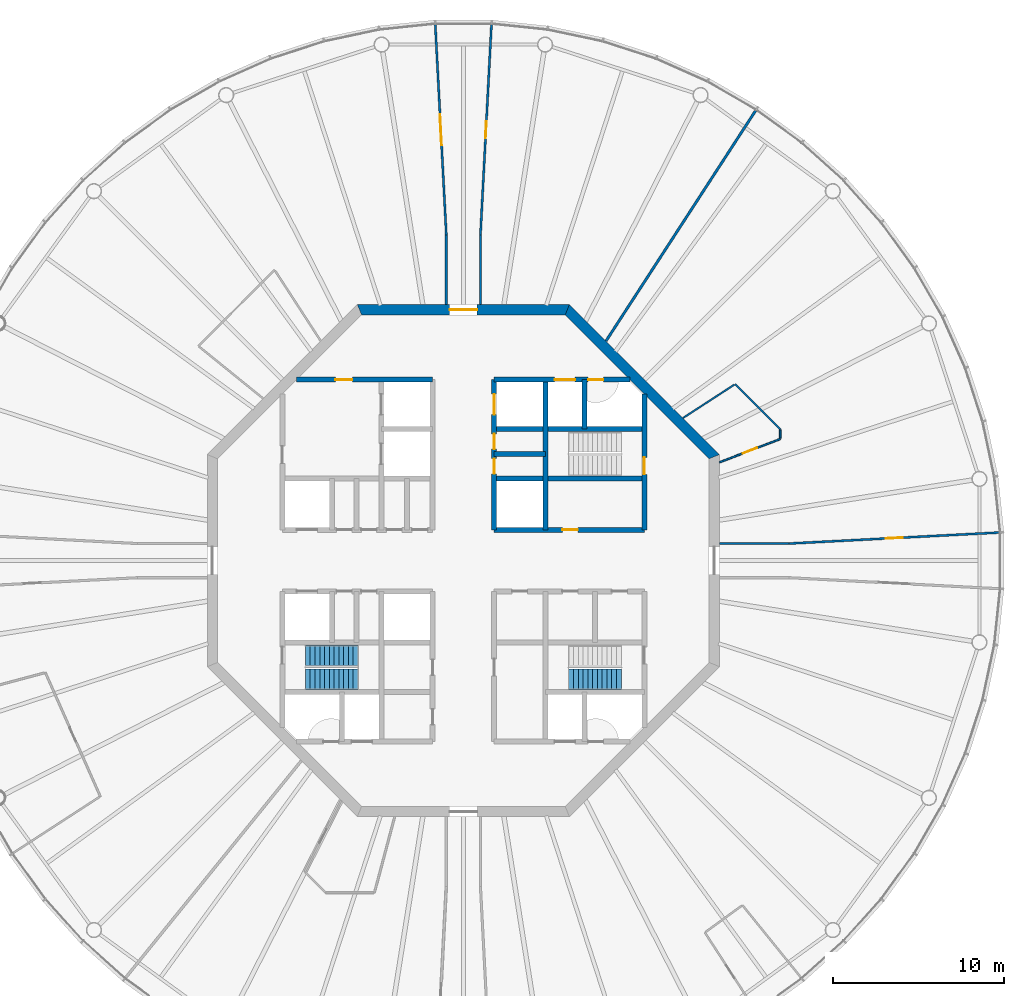
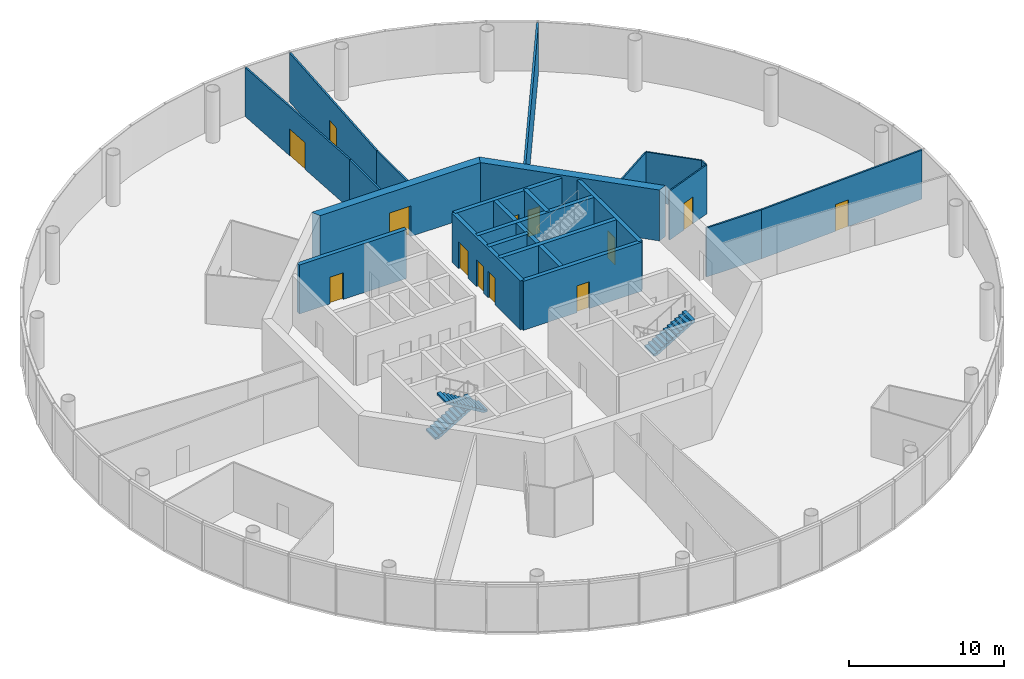
# One storey, part 5 of 13: 23 walls, 13 doors, 3 stair flights, 13 openings, 2 elements without a shape of their own.
"""IFC4 building model written with IfcOpenShell, lengths in metres."""

from ifc_helpers import new_model, si_unit, direction, frame, frame_2d, origin, place, context, subcontext, project, spatial, polyline, rectangle, outline, extrude, material, layer, layer_set, type_object, element, fill, aggregate, save


model = new_model("IFC4")

# Units and contexts
model_context = context("Model", 3, precision=1e-05, world=origin(), true_north=direction((0.0, 1.0)))
body_context = subcontext(model_context, "Body", "Model", "MODEL_VIEW")
ifc_project = project(units=[si_unit("LENGTHUNIT", "METRE"), si_unit("AREAUNIT", "SQUARE_METRE"), si_unit("VOLUMEUNIT", "CUBIC_METRE"), si_unit("PLANEANGLEUNIT", "RADIAN"), si_unit("MASSUNIT", "GRAM", prefix="KILO")], contexts=[model_context])

# Site, building, storey
site_placement = place(None, origin())
site = spatial("IfcSite", under=ifc_project, at=site_placement, CompositionType="ELEMENT")
building_placement = place(site_placement, origin())
building = spatial("IfcBuilding", under=site, at=building_placement, Name="Entoto Ring Tower", CompositionType="ELEMENT")
storey_placement = place(building_placement, frame((0.0, 0.0, 376.0)))
storey = spatial("IfcBuildingStorey", under=building, at=storey_placement, Name="L87", CompositionType="ELEMENT", Elevation=376.0)

# Wall, opening, door
ifc_material_1 = material(Name="Concrete C40/50", Category="concrete")
ifc_layer_1 = layer(ifc_material_1, 0.300048828125)
ifc_layer_set_1 = layer_set([ifc_layer_1], Name="Concrete C40/50")
wall_type_1 = type_object("IfcWallType", Name="Core enclosure wall 300 mm reinforced concrete", PredefinedType="SOLIDWALL", material=ifc_layer_set_1)
wall_1_placement = place(storey_placement, frame((100.60009765625, 81.800048828125, 0.0), z_axis=(0.0, 0.0, 1.0), x_axis=(0.0, 1.0, 0.0)))
wall_1 = element("IfcWall", 1, at=wall_1_placement, inside=storey, type_object=wall_type_1, Name="wall-L87-002", PredefinedType="SOLIDWALL", context=body_context, shape_type="SweptSolid", body=[
    extrude(rectangle(XDim=7.964599609375, YDim=0.300048828125, at=frame_2d((3.982421875, 0.0))), origin(), (0.0, 0.0, 1.0), 3.85009765625),
])
opening_1_placement = place(wall_1_placement, frame((3.25, 0.0, 0.0)))
opening_1 = element("IfcOpeningElement", 2, at=opening_1_placement, cuts=wall_1, Name="Opening K-26", PredefinedType="OPENING", context=body_context, shape_type="SweptSolid", body=[
    extrude(rectangle(XDim=1.0, YDim=2.10009765625, at=frame_2d((0.5, 1.050048828125))), frame((0.0, 0.16015625, 0.0), z_axis=(0.0, -1.0, 0.0), x_axis=(1.0, 0.0, 0.0)), (0.0, 0.0, 1.0), 0.320068359375),
])
ifc_material_2 = material(Name="Steel door leaf, fire rated", Category="steel")
ifc_layer_2 = layer(ifc_material_2, 0.050048828125)
ifc_layer_set_2 = layer_set([ifc_layer_2], Name="Steel door leaf, fire rated")
door_type_1 = type_object("IfcDoorType", Name="Fire door FD60 1000 x 2100 single leaf", OperationType="NOTDEFINED", PredefinedType="DOOR", material=ifc_layer_set_2)
door_1_placement = place(opening_1_placement, origin())
door_1 = element("IfcDoor", 3, at=door_1_placement, inside=storey, type_object=door_type_1, Name="Door K-26", OperationType="SINGLE_SWING_LEFT", OverallHeight=2.10009765625, OverallWidth=1.0, PredefinedType="DOOR", context=body_context, shape_type="SweptSolid", body=[
    extrude(rectangle(XDim=1.0, YDim=2.10009765625, at=frame_2d((0.5, 1.050048828125))), frame((0.0, 0.02490234375, 0.0), z_axis=(0.0, -1.0, 0.0), x_axis=(1.0, 0.0, 0.0)), (0.0, 0.0, 1.0), 0.050048828125),
])
fill(opening_1, door_1)

# Walls
wall_2_placement = place(storey_placement, frame((97.10009765625, 87.699951171875, 0.0), z_axis=(0.0, 0.0, 1.0), x_axis=(0.0, 1.0, 0.0)))
element("IfcWall", 4, at=wall_2_placement, inside=storey, type_object=wall_type_1, Name="wall-L87-005", PredefinedType="SOLIDWALL", context=body_context, shape_type="SweptSolid", body=[
    extrude(rectangle(XDim=2.900146484375, YDim=0.300048828125, at=frame_2d((1.4501953125, 0.0))), origin(), (0.0, 0.0, 1.0), 3.85009765625),
])
wall_3_placement = place(storey_placement, frame((94.800048828125, 81.800048828125, 0.0), z_axis=(0.0, 0.0, 1.0), x_axis=(0.0, 1.0, 0.0)))
element("IfcWall", 5, at=wall_3_placement, inside=storey, type_object=wall_type_1, Name="wall-L87-007", PredefinedType="SOLIDWALL", context=body_context, shape_type="SweptSolid", body=[
    extrude(rectangle(XDim=8.800048828125, YDim=0.300048828125, at=frame_2d((4.39990234375, 0.0))), origin(), (0.0, 0.0, 1.0), 3.85009765625),
])

# Wall, openings, doors
wall_4_placement = place(storey_placement, frame((91.800048828125, 81.800048828125, 0.0), z_axis=(0.0, 0.0, 1.0), x_axis=(0.0, 1.0, 0.0)))
wall_4 = element("IfcWall", 6, at=wall_4_placement, inside=storey, type_object=wall_type_1, Name="wall-L87-009", PredefinedType="SOLIDWALL", context=body_context, shape_type="SweptSolid", body=[
    extrude(rectangle(XDim=8.800048828125, YDim=0.300048828125, at=frame_2d((4.39990234375, 0.0))), origin(), (0.0, 0.0, 1.0), 3.85009765625),
])
opening_2_placement = place(wall_4_placement, frame((6.75, 0.0, 0.0)))
opening_2 = element("IfcOpeningElement", 7, at=opening_2_placement, cuts=wall_4, Name="Opening LD", PredefinedType="OPENING", context=body_context, shape_type="SweptSolid", body=[
    extrude(rectangle(XDim=1.199951171875, YDim=2.10009765625, at=frame_2d((0.60009765625, 1.050048828125))), frame((0.0, 0.16015625, 0.0), z_axis=(0.0, -1.0, 0.0), x_axis=(1.0, 0.0, 0.0)), (0.0, 0.0, 1.0), 0.320068359375),
])
opening_3_placement = place(wall_4_placement, frame((3.27490234375, 0.0, 0.0)))
opening_3 = element("IfcOpeningElement", 8, at=opening_3_placement, cuts=wall_4, Name="Opening K-18", PredefinedType="OPENING", context=body_context, shape_type="SweptSolid", body=[
    extrude(rectangle(XDim=0.89990234375, YDim=2.10009765625, at=frame_2d((0.449951171875, 1.050048828125))), frame((0.0, 0.16015625, 0.0), z_axis=(0.0, -1.0, 0.0), x_axis=(1.0, 0.0, 0.0)), (0.0, 0.0, 1.0), 0.320068359375),
])
opening_4_placement = place(wall_4_placement, frame((4.72509765625, 0.0, 0.0)))
opening_4 = element("IfcOpeningElement", 9, at=opening_4_placement, cuts=wall_4, Name="Opening K-19", PredefinedType="OPENING", context=body_context, shape_type="SweptSolid", body=[
    extrude(rectangle(XDim=0.89990234375, YDim=2.10009765625, at=frame_2d((0.449951171875, 1.050048828125))), frame((0.0, 0.16015625, 0.0), z_axis=(0.0, -1.0, 0.0), x_axis=(1.0, 0.0, 0.0)), (0.0, 0.0, 1.0), 0.320068359375),
])
ifc_material_3 = material(Name="Steel door leaf, fire rated", Category="steel")
ifc_layer_3 = layer(ifc_material_3, 0.050048828125)
ifc_layer_set_3 = layer_set([ifc_layer_3], Name="Steel door leaf, fire rated")
door_type_2 = type_object("IfcDoorType", Name="Core door 900 x 2100 single leaf", OperationType="NOTDEFINED", PredefinedType="DOOR", material=ifc_layer_set_3)
door_2_placement = place(opening_3_placement, frame((0.89990234375, 0.0, 0.0), z_axis=(0.0, 0.0, 1.0), x_axis=(-1.0, 0.0, 0.0)))
door_2 = element("IfcDoor", 10, at=door_2_placement, inside=storey, type_object=door_type_2, Name="Door K-18", OperationType="SINGLE_SWING_LEFT", OverallHeight=2.10009765625, OverallWidth=0.89990234375, PredefinedType="DOOR", context=body_context, shape_type="SweptSolid", body=[
    extrude(rectangle(XDim=0.89990234375, YDim=2.10009765625, at=frame_2d((0.449951171875, 1.050048828125))), frame((0.0, 0.02490234375, 0.0), z_axis=(0.0, -1.0, 0.0), x_axis=(1.0, 0.0, 0.0)), (0.0, 0.0, 1.0), 0.050048828125),
])
fill(opening_3, door_2)
door_3_placement = place(opening_4_placement, frame((0.89990234375, 0.0, 0.0), z_axis=(0.0, 0.0, 1.0), x_axis=(-1.0, 0.0, 0.0)))
door_3 = element("IfcDoor", 11, at=door_3_placement, inside=storey, type_object=door_type_2, Name="Door K-19", OperationType="SINGLE_SWING_RIGHT", OverallHeight=2.10009765625, OverallWidth=0.89990234375, PredefinedType="DOOR", context=body_context, shape_type="SweptSolid", body=[
    extrude(rectangle(XDim=0.89990234375, YDim=2.10009765625, at=frame_2d((0.449951171875, 1.050048828125))), frame((0.0, 0.02490234375, 0.0), z_axis=(0.0, -1.0, 0.0), x_axis=(1.0, 0.0, 0.0)), (0.0, 0.0, 1.0), 0.050048828125),
])
fill(opening_4, door_3)
ifc_material_4 = material(Name="Steel and glass door leaf", Category="steel")
ifc_layer_4 = layer(ifc_material_4, 0.050048828125)
ifc_layer_set_4 = layer_set([ifc_layer_4], Name="Steel and glass door leaf")
door_type_3 = type_object("IfcDoorType", Name="Landing door 1200 x 2100 sliding", OperationType="DOUBLE_DOOR_SLIDING", PredefinedType="DOOR", material=ifc_layer_set_4)
door_4_placement = place(opening_2_placement, origin())
door_4 = element("IfcDoor", 12, at=door_4_placement, inside=storey, type_object=door_type_3, Name="Landing door SH3", OperationType="SLIDING_TO_RIGHT", OverallHeight=2.10009765625, OverallWidth=1.199951171875, PredefinedType="DOOR", context=body_context, shape_type="SweptSolid", body=[
    extrude(rectangle(XDim=1.199951171875, YDim=2.10009765625, at=frame_2d((0.60009765625, 1.050048828125))), frame((0.0, 0.02490234375, 0.0), z_axis=(0.0, -1.0, 0.0), x_axis=(1.0, 0.0, 0.0)), (0.0, 0.0, 1.0), 0.050048828125),
])
fill(opening_2, door_4)

# Wall, opening, door
wall_5_placement = place(storey_placement, frame((91.800048828125, 81.800048828125, 0.0), z_axis=(0.0, 0.0, 1.0), x_axis=(1.0, 0.0, 0.0)))
wall_5 = element("IfcWall", 13, at=wall_5_placement, inside=storey, type_object=wall_type_1, Name="wall-L87-031", PredefinedType="SOLIDWALL", context=body_context, shape_type="SweptSolid", body=[
    extrude(rectangle(XDim=8.800048828125, YDim=0.300048828125, at=frame_2d((4.39990234375, 0.0))), origin(), (0.0, 0.0, 1.0), 3.85009765625),
])
opening_5_placement = place(wall_5_placement, frame((4.0, 0.0, 0.0)))
opening_5 = element("IfcOpeningElement", 14, at=opening_5_placement, cuts=wall_5, Name="Opening K-11", PredefinedType="OPENING", context=body_context, shape_type="SweptSolid", body=[
    extrude(rectangle(XDim=0.89990234375, YDim=2.10009765625, at=frame_2d((0.449951171875, 1.050048828125))), frame((0.0, 0.16015625, 0.0), z_axis=(0.0, -1.0, 0.0), x_axis=(1.0, 0.0, 0.0)), (0.0, 0.0, 1.0), 0.320068359375),
])
door_5_placement = place(opening_5_placement, origin())
door_5 = element("IfcDoor", 15, at=door_5_placement, inside=storey, type_object=door_type_2, Name="Door K-11", OperationType="SINGLE_SWING_LEFT", OverallHeight=2.10009765625, OverallWidth=0.89990234375, PredefinedType="DOOR", context=body_context, shape_type="SweptSolid", body=[
    extrude(rectangle(XDim=0.89990234375, YDim=2.10009765625, at=frame_2d((0.449951171875, 1.050048828125))), frame((0.0, 0.02490234375, 0.0), z_axis=(0.0, -1.0, 0.0), x_axis=(1.0, 0.0, 0.0)), (0.0, 0.0, 1.0), 0.050048828125),
])
fill(opening_5, door_5)

# Walls
wall_6_placement = place(storey_placement, frame((91.800048828125, 84.800048828125, 0.0), z_axis=(0.0, 0.0, 1.0), x_axis=(1.0, 0.0, 0.0)))
element("IfcWall", 16, at=wall_6_placement, inside=storey, type_object=wall_type_1, Name="wall-L87-033", PredefinedType="SOLIDWALL", context=body_context, shape_type="SweptSolid", body=[
    extrude(rectangle(XDim=8.800048828125, YDim=0.300048828125, at=frame_2d((4.39990234375, 0.0))), origin(), (0.0, 0.0, 1.0), 3.85009765625),
])
wall_7_placement = place(storey_placement, frame((91.800048828125, 86.25, 0.0), z_axis=(0.0, 0.0, 1.0), x_axis=(1.0, 0.0, 0.0)))
element("IfcWall", 17, at=wall_7_placement, inside=storey, type_object=wall_type_1, Name="wall-L87-034", PredefinedType="SOLIDWALL", context=body_context, shape_type="SweptSolid", body=[
    extrude(rectangle(XDim=3.0, YDim=0.300048828125, at=frame_2d((1.5, 0.0))), origin(), (0.0, 0.0, 1.0), 3.85009765625),
])
wall_8_placement = place(storey_placement, frame((91.800048828125, 87.699951171875, 0.0), z_axis=(0.0, 0.0, 1.0), x_axis=(1.0, 0.0, 0.0)))
element("IfcWall", 18, at=wall_8_placement, inside=storey, type_object=wall_type_1, Name="wall-L87-036", PredefinedType="SOLIDWALL", context=body_context, shape_type="SweptSolid", body=[
    extrude(rectangle(XDim=8.800048828125, YDim=0.300048828125, at=frame_2d((4.39990234375, 0.0))), origin(), (0.0, 0.0, 1.0), 3.85009765625),
])

# Wall, opening, door
wall_9_placement = place(storey_placement, frame((80.2353515625, 90.60009765625, 0.0), z_axis=(0.0, 0.0, 1.0), x_axis=(1.0, 0.0, 0.0)))
wall_9 = element("IfcWall", 19, at=wall_9_placement, inside=storey, type_object=wall_type_1, Name="wall-L87-037", PredefinedType="SOLIDWALL", context=body_context, shape_type="SweptSolid", body=[
    extrude(rectangle(XDim=7.964599609375, YDim=0.300048828125, at=frame_2d((3.982421875, 0.0))), origin(), (0.0, 0.0, 1.0), 3.85009765625),
])
opening_6_placement = place(wall_9_placement, frame((2.2646484375, 0.0, 0.0)))
opening_6 = element("IfcOpeningElement", 20, at=opening_6_placement, cuts=wall_9, Name="Opening K-87", PredefinedType="OPENING", context=body_context, shape_type="SweptSolid", body=[
    extrude(rectangle(XDim=1.0, YDim=2.10009765625, at=frame_2d((0.5, 1.050048828125))), frame((0.0, 0.16015625, 0.0), z_axis=(0.0, -1.0, 0.0), x_axis=(1.0, 0.0, 0.0)), (0.0, 0.0, 1.0), 0.320068359375),
])
door_6_placement = place(opening_6_placement, frame((1.0, 0.0, 0.0), z_axis=(0.0, 0.0, 1.0), x_axis=(-1.0, 0.0, 0.0)))
door_6 = element("IfcDoor", 21, at=door_6_placement, inside=storey, type_object=door_type_1, Name="Door K-87", OperationType="SINGLE_SWING_LEFT", OverallHeight=2.10009765625, OverallWidth=1.0, PredefinedType="DOOR", context=body_context, shape_type="SweptSolid", body=[
    extrude(rectangle(XDim=1.0, YDim=2.10009765625, at=frame_2d((0.5, 1.050048828125))), frame((0.0, 0.02490234375, 0.0), z_axis=(0.0, -1.0, 0.0), x_axis=(1.0, 0.0, 0.0)), (0.0, 0.0, 1.0), 0.050048828125),
])
fill(opening_6, door_6)

# Wall, openings, doors
wall_10_placement = place(storey_placement, frame((91.800048828125, 90.60009765625, 0.0), z_axis=(0.0, 0.0, 1.0), x_axis=(1.0, 0.0, 0.0)))
wall_10 = element("IfcWall", 22, at=wall_10_placement, inside=storey, type_object=wall_type_1, Name="wall-L87-038", PredefinedType="SOLIDWALL", context=body_context, shape_type="SweptSolid", body=[
    extrude(rectangle(XDim=7.964599609375, YDim=0.300048828125, at=frame_2d((3.982421875, 0.0))), origin(), (0.0, 0.0, 1.0), 3.85009765625),
])
opening_7_placement = place(wall_10_placement, frame((3.550048828125, 0.0, 0.0)))
opening_7 = element("IfcOpeningElement", 23, at=opening_7_placement, cuts=wall_10, Name="Opening LD", PredefinedType="OPENING", context=body_context, shape_type="SweptSolid", body=[
    extrude(rectangle(XDim=1.199951171875, YDim=2.10009765625, at=frame_2d((0.60009765625, 1.050048828125))), frame((0.0, 0.16015625, 0.0), z_axis=(0.0, -1.0, 0.0), x_axis=(1.0, 0.0, 0.0)), (0.0, 0.0, 1.0), 0.320068359375),
])
opening_8_placement = place(wall_10_placement, frame((5.5, 0.0, 0.0)))
opening_8 = element("IfcOpeningElement", 24, at=opening_8_placement, cuts=wall_10, Name="Opening K-83", PredefinedType="OPENING", context=body_context, shape_type="SweptSolid", body=[
    extrude(rectangle(XDim=0.89990234375, YDim=2.10009765625, at=frame_2d((0.449951171875, 1.050048828125))), frame((0.0, 0.16015625, 0.0), z_axis=(0.0, -1.0, 0.0), x_axis=(1.0, 0.0, 0.0)), (0.0, 0.0, 1.0), 0.320068359375),
])
door_7_placement = place(opening_7_placement, origin())
door_7 = element("IfcDoor", 25, at=door_7_placement, inside=storey, type_object=door_type_3, Name="Landing door LB1-HR", OperationType="SLIDING_TO_RIGHT", OverallHeight=2.10009765625, OverallWidth=1.199951171875, PredefinedType="DOOR", context=body_context, shape_type="SweptSolid", body=[
    extrude(rectangle(XDim=1.199951171875, YDim=2.10009765625, at=frame_2d((0.60009765625, 1.050048828125))), frame((0.0, 0.02490234375, 0.0), z_axis=(0.0, -1.0, 0.0), x_axis=(1.0, 0.0, 0.0)), (0.0, 0.0, 1.0), 0.050048828125),
])
fill(opening_7, door_7)
ifc_material_5 = material(Name="Steel door leaf, fire rated", Category="steel")
ifc_layer_5 = layer(ifc_material_5, 0.050048828125)
ifc_layer_set_5 = layer_set([ifc_layer_5], Name="Steel door leaf, fire rated")
door_type_4 = type_object("IfcDoorType", Name="Riser door FD60 900 x 2100 single leaf", OperationType="NOTDEFINED", PredefinedType="DOOR", material=ifc_layer_set_5)
door_8_placement = place(opening_8_placement, frame((0.89990234375, 0.0, 0.0), z_axis=(0.0, 0.0, 1.0), x_axis=(-1.0, 0.0, 0.0)))
door_8 = element("IfcDoor", 26, at=door_8_placement, inside=storey, type_object=door_type_4, Name="Door K-83", OperationType="SINGLE_SWING_RIGHT", OverallHeight=2.10009765625, OverallWidth=0.89990234375, PredefinedType="DOOR", context=body_context, shape_type="SweptSolid", body=[
    extrude(rectangle(XDim=0.89990234375, YDim=2.10009765625, at=frame_2d((0.449951171875, 1.050048828125))), frame((0.0, 0.02490234375, 0.0), z_axis=(0.0, -1.0, 0.0), x_axis=(1.0, 0.0, 0.0)), (0.0, 0.0, 1.0), 0.050048828125),
])
fill(opening_8, door_8)

# Wall
ifc_material_6 = material(Name="Concrete C40/50", Category="concrete")
ifc_layer_6 = layer(ifc_material_6, 0.60009765625)
ifc_layer_set_6 = layer_set([ifc_layer_6], Name="Concrete C40/50")
wall_type_2 = type_object("IfcWallType", Name="Core shear wall 600 mm reinforced concrete C40/50", PredefinedType="SHEAR", material=ifc_layer_set_6)
wall_11_placement = place(storey_placement, frame((104.699951171875, 86.0888671875, 0.0), z_axis=(0.0, 0.0, 1.0), x_axis=(-0.707106781187, 0.707106781187, 0.0)))
element("IfcWall", 27, at=wall_11_placement, inside=storey, type_object=wall_type_2, Name="wall-L87-core-1", PredefinedType="SHEAR", context=body_context, shape_type="SweptSolid", body=[
    extrude(outline(polyline([(-0.124267578125, -0.300048828125), (12.30224609375, -0.300048828125), (12.0537109375, 0.300048828125), (0.124267578125, 0.300048828125), (-0.124267578125, -0.300048828125)])), origin(), (0.0, 0.0, 1.0), 4.0),
])

# Wall, opening, door
wall_12_placement = place(storey_placement, frame((96.0888671875, 94.699951171875, 0.0), z_axis=(0.0, 0.0, 1.0), x_axis=(-1.0, 0.0, 0.0)))
wall_12 = element("IfcWall", 28, at=wall_12_placement, inside=storey, type_object=wall_type_2, Name="wall-L87-core-2", PredefinedType="SHEAR", context=body_context, shape_type="SweptSolid", body=[
    extrude(outline(polyline([(-0.124267578125, -0.300048828125), (12.302001953125, -0.300048828125), (12.053466796875, 0.300048828125), (0.124267578125, 0.300048828125), (-0.124267578125, -0.300048828125)])), origin(), (0.0, 0.0, 1.0), 4.0),
])
opening_9_placement = place(wall_12_placement, frame((5.288818359375, 0.0, 0.0)))
opening_9 = element("IfcOpeningElement", 29, at=opening_9_placement, cuts=wall_12, Name="Opening K-02", PredefinedType="OPENING", context=body_context, shape_type="SweptSolid", body=[
    extrude(rectangle(XDim=1.60009765625, YDim=2.39990234375, at=frame_2d((0.800048828125, 1.199951171875))), frame((0.0, 0.31005859375, 0.0), z_axis=(0.0, -1.0, 0.0), x_axis=(1.0, 0.0, 0.0)), (0.0, 0.0, 1.0), 0.6201171875),
])
ifc_material_7 = material(Name="Steel door leaf, fire rated", Category="steel")
ifc_layer_7 = layer(ifc_material_7, 0.050048828125)
ifc_layer_set_7 = layer_set([ifc_layer_7], Name="Steel door leaf, fire rated")
door_type_5 = type_object("IfcDoorType", Name="Entrance door FD60 1600 x 2400 double leaf", OperationType="DOUBLE_DOOR_SINGLE_SWING", PredefinedType="DOOR", material=ifc_layer_set_7)
door_9_placement = place(opening_9_placement, origin())
door_9 = element("IfcDoor", 30, at=door_9_placement, inside=storey, type_object=door_type_5, Name="Entrance door K-02", OperationType="DOUBLE_DOOR_SINGLE_SWING", OverallHeight=2.39990234375, OverallWidth=1.60009765625, PredefinedType="DOOR", context=body_context, shape_type="SweptSolid", body=[
    extrude(rectangle(XDim=1.60009765625, YDim=2.39990234375, at=frame_2d((0.800048828125, 1.199951171875))), frame((0.0, 0.02490234375, 0.0), z_axis=(0.0, -1.0, 0.0), x_axis=(1.0, 0.0, 0.0)), (0.0, 0.0, 1.0), 0.050048828125),
])
fill(opening_9, door_9)

ifc_material_8 = material(Name="Fire-resisting plasterboard on steel studs", Category="steel")
ifc_layer_8 = layer(ifc_material_8, 0.125)
ifc_layer_set_8 = layer_set([ifc_layer_8], Name="Fire-resisting plasterboard on steel studs")
wall_type_3 = type_object("IfcWallType", Name="Corridor wall 125 mm one-hour plasterboard on steel studs", PredefinedType="PARTITIONING", material=ifc_layer_set_8)
wall_13_placement = place(storey_placement, frame((89.0, 99.0810546875, 0.0), z_axis=(0.0, 0.0, 1.0), x_axis=(-0.052340638328, 0.998629289366, 0.0)))
wall_13 = element("IfcWall", 31, at=wall_13_placement, inside=storey, type_object=wall_type_3, Name="partition-L87-004", PredefinedType="PARTITIONING", context=body_context, shape_type="SweptSolid", body=[
    extrude(rectangle(XDim=12.332763671875, YDim=0.125, at=frame_2d((6.16650390625, 0.0))), origin(), (0.0, 0.0, 1.0), 3.85009765625),
])
opening_10_placement = place(wall_13_placement, frame((5.266357421875, 0.0, 0.0)))
opening_10 = element("IfcOpeningElement", 32, at=opening_10_placement, cuts=wall_13, Name="Opening A37-D04", PredefinedType="OPENING", context=body_context, shape_type="SweptSolid", body=[
    extrude(rectangle(XDim=1.800048828125, YDim=2.10009765625, at=frame_2d((0.89990234375, 1.050048828125))), frame((0.0, 0.072509765625, 0.0), z_axis=(0.0, -1.0, 0.0), x_axis=(1.0, 0.0, 0.0)), (0.0, 0.0, 1.0), 0.14501953125),
])
ifc_material_9 = material(Name="Fire-resisting timber door set", Category="wood")
door_type_6 = type_object("IfcDoorType", Name="Door 1800 x 2100 double leaf FD30S fire door", OperationType="DOUBLE_DOOR_SINGLE_SWING", PredefinedType="DOOR", material=ifc_material_9)
door_10_placement = place(opening_10_placement, frame((1.800048828125, 0.0, 0.0), z_axis=(0.0, 0.0, 1.0), x_axis=(-1.0, 0.0, 0.0)))
door_10 = element("IfcDoor", 33, at=door_10_placement, inside=storey, type_object=door_type_6, Name="Door A37-D04", OperationType="DOUBLE_DOOR_SINGLE_SWING", OverallHeight=2.10009765625, OverallWidth=1.800048828125, PredefinedType="DOOR", context=body_context, shape_type="SweptSolid", body=[
    extrude(rectangle(XDim=1.800048828125, YDim=2.10009765625, at=frame_2d((0.89990234375, 1.050048828125))), frame((0.0, 0.02490234375, 0.0), z_axis=(0.0, -1.0, 0.0), x_axis=(1.0, 0.0, 0.0)), (0.0, 0.0, 1.0), 0.050048828125),
])
fill(opening_10, door_10)

wall_14_placement = place(storey_placement, frame((91.0, 99.0810546875, 0.0), z_axis=(0.0, 0.0, 1.0), x_axis=(0.052340638328, 0.998629289366, 0.0)))
wall_14 = element("IfcWall", 34, at=wall_14_placement, inside=storey, type_object=wall_type_3, Name="partition-L87-005", PredefinedType="PARTITIONING", context=body_context, shape_type="SweptSolid", body=[
    extrude(rectangle(XDim=12.332763671875, YDim=0.125, at=frame_2d((6.16650390625, 0.0))), origin(), (0.0, 0.0, 1.0), 3.85009765625),
])
opening_11_placement = place(wall_14_placement, frame((5.666259765625, 0.0, 0.0)))
opening_11 = element("IfcOpeningElement", 35, at=opening_11_placement, cuts=wall_14, Name="Opening A37-D03", PredefinedType="OPENING", context=body_context, shape_type="SweptSolid", body=[
    extrude(rectangle(XDim=1.0, YDim=2.10009765625, at=frame_2d((0.5, 1.050048828125))), frame((0.0, 0.072509765625, 0.0), z_axis=(0.0, -1.0, 0.0), x_axis=(1.0, 0.0, 0.0)), (0.0, 0.0, 1.0), 0.14501953125),
])
ifc_material_10 = material(Name="Fire-resisting timber door set", Category="wood")
door_type_7 = type_object("IfcDoorType", Name="Door 1000 x 2100 single leaf FD30S fire door", OperationType="NOTDEFINED", PredefinedType="DOOR", material=ifc_material_10)
door_11_placement = place(opening_11_placement, frame((1.0, 0.0, 0.0), z_axis=(0.0, 0.0, 1.0), x_axis=(-1.0, 0.0, 0.0)))
door_11 = element("IfcDoor", 36, at=door_11_placement, inside=storey, type_object=door_type_7, Name="Door A37-D03", OperationType="SINGLE_SWING_LEFT", OverallHeight=2.10009765625, OverallWidth=1.0, PredefinedType="DOOR", context=body_context, shape_type="SweptSolid", body=[
    extrude(rectangle(XDim=1.0, YDim=2.10009765625, at=frame_2d((0.5, 1.050048828125))), frame((0.0, 0.02490234375, 0.0), z_axis=(0.0, -1.0, 0.0), x_axis=(1.0, 0.0, 0.0)), (0.0, 0.0, 1.0), 0.050048828125),
])
fill(opening_11, door_11)

wall_15_placement = place(storey_placement, frame((109.0810546875, 81.0, 0.0), z_axis=(0.0, 0.0, 1.0), x_axis=(0.998629289366, 0.052340638328, 0.0)))
wall_15 = element("IfcWall", 37, at=wall_15_placement, inside=storey, type_object=wall_type_3, Name="partition-L87-007", PredefinedType="PARTITIONING", context=body_context, shape_type="SweptSolid", body=[
    extrude(rectangle(XDim=12.332763671875, YDim=0.125, at=frame_2d((6.16650390625, 0.0))), origin(), (0.0, 0.0, 1.0), 3.85009765625),
])
opening_12_placement = place(wall_15_placement, frame((5.666259765625, 0.0, 0.0)))
opening_12 = element("IfcOpeningElement", 38, at=opening_12_placement, cuts=wall_15, Name="Opening A37-D01", PredefinedType="OPENING", context=body_context, shape_type="SweptSolid", body=[
    extrude(rectangle(XDim=1.0, YDim=2.10009765625, at=frame_2d((0.5, 1.050048828125))), frame((0.0, 0.072509765625, 0.0), z_axis=(0.0, -1.0, 0.0), x_axis=(1.0, 0.0, 0.0)), (0.0, 0.0, 1.0), 0.14501953125),
])
door_12_placement = place(opening_12_placement, origin())
door_12 = element("IfcDoor", 39, at=door_12_placement, inside=storey, type_object=door_type_7, Name="Door A37-D01", OperationType="SINGLE_SWING_RIGHT", OverallHeight=2.10009765625, OverallWidth=1.0, PredefinedType="DOOR", context=body_context, shape_type="SweptSolid", body=[
    extrude(rectangle(XDim=1.0, YDim=2.10009765625, at=frame_2d((0.5, 1.050048828125))), frame((0.0, 0.02490234375, 0.0), z_axis=(0.0, -1.0, 0.0), x_axis=(1.0, 0.0, 0.0)), (0.0, 0.0, 1.0), 0.050048828125),
])
fill(opening_12, door_12)

# Walls
for number, where, z_axis, x_axis, name in (
    (40, (89.0, 95.0, 0.0), (0.0, 0.0, 1.0), (0.0, 1.0, 0.0), "partition-L87-012"),
    (41, (91.0, 95.0, 0.0), (0.0, 0.0, 1.0), (0.0, 1.0, 0.0), "partition-L87-014"),
    (42, (105.0, 81.0, 0.0), (0.0, 0.0, 1.0), (1.0, 0.0, 0.0), "partition-L87-016"),
):
    element("IfcWall", number, at=place(storey_placement, frame(where, z_axis=z_axis, x_axis=x_axis)), inside=storey, type_object=wall_type_3, Name=name, PredefinedType="PARTITIONING", context=body_context, shape_type="SweptSolid", body=[
        extrude(rectangle(XDim=4.077880859375, YDim=0.125, at=frame_2d((2.0390625, 0.0))), origin(), (0.0, 0.0, 1.0), 3.85009765625),
    ])

# Wall, opening, door
ifc_material_11 = material(Name="Plasterboard on steel studs", Category="steel")
ifc_layer_9 = layer(ifc_material_11, 0.10009765625)
ifc_layer_set_9 = layer_set([ifc_layer_9], Name="Plasterboard on steel studs")
wall_type_4 = type_object("IfcWallType", Name="Partition 100 mm plasterboard on steel studs", PredefinedType="PARTITIONING", material=ifc_layer_set_9)
wall_16_placement = place(storey_placement, frame((105.0, 85.758056640625, 0.0), z_axis=(0.0, 0.0, 1.0), x_axis=(0.933591250886, 0.358339749774, 0.0)))
wall_16 = element("IfcWall", 43, at=wall_16_placement, inside=storey, type_object=wall_type_4, Name="partition-L87-029", PredefinedType="PARTITIONING", context=body_context, shape_type="SweptSolid", body=[
    extrude(rectangle(XDim=3.813232421875, YDim=0.10009765625, at=frame_2d((1.90673828125, 0.0))), origin(), (0.0, 0.0, 1.0), 3.85009765625),
])
opening_13_placement = place(wall_16_placement, frame((1.45654296875, 0.0, 0.0)))
opening_13 = element("IfcOpeningElement", 44, at=opening_13_placement, cuts=wall_16, Name="Opening A37-D02", PredefinedType="OPENING", context=body_context, shape_type="SweptSolid", body=[
    extrude(rectangle(XDim=0.89990234375, YDim=2.10009765625, at=frame_2d((0.449951171875, 1.050048828125))), frame((0.0, 0.06005859375, 0.0), z_axis=(0.0, -1.0, 0.0), x_axis=(1.0, 0.0, 0.0)), (0.0, 0.0, 1.0), 0.1201171875),
])
ifc_material_12 = material(Name="Veneered timber door leaf in timber frame", Category="wood")
door_type_8 = type_object("IfcDoorType", Name="Door 900 x 2100 single leaf timber veneer", OperationType="NOTDEFINED", PredefinedType="DOOR", material=ifc_material_12)
door_13_placement = place(opening_13_placement, origin())
door_13 = element("IfcDoor", 45, at=door_13_placement, inside=storey, type_object=door_type_8, Name="Door A37-D02", OperationType="SINGLE_SWING_LEFT", OverallHeight=2.10009765625, OverallWidth=0.89990234375, PredefinedType="DOOR", context=body_context, shape_type="SweptSolid", body=[
    extrude(rectangle(XDim=0.89990234375, YDim=2.10009765625, at=frame_2d((0.449951171875, 1.050048828125))), frame((0.0, 0.02490234375, 0.0), z_axis=(0.0, -1.0, 0.0), x_axis=(1.0, 0.0, 0.0)), (0.0, 0.0, 1.0), 0.050048828125),
])
fill(opening_13, door_13)

# Walls
wall_17_placement = place(storey_placement, frame((108.56005859375, 87.687744140625, 0.0), z_axis=(0.0, 0.0, 1.0), x_axis=(-0.707106781187, 0.707106781187, 0.0)))
element("IfcWall", 46, at=wall_17_placement, inside=storey, type_object=wall_type_4, Name="partition-L87-030", PredefinedType="PARTITIONING", context=body_context, shape_type="SweptSolid", body=[
    extrude(rectangle(XDim=3.74267578125, YDim=0.10009765625, at=frame_2d((1.871337890625, 0.0))), origin(), (0.0, 0.0, 1.0), 3.85009765625),
])
wall_18_placement = place(storey_placement, frame((102.861083984375, 88.35205078125, 0.0), z_axis=(0.0, 0.0, 1.0), x_axis=(0.838684315436, 0.544617865151, 0.0)))
element("IfcWall", 47, at=wall_18_placement, inside=storey, type_object=wall_type_4, Name="partition-L87-031", PredefinedType="PARTITIONING", context=body_context, shape_type="SweptSolid", body=[
    extrude(rectangle(XDim=3.5908203125, YDim=0.10009765625, at=frame_2d((1.79541015625, 0.0))), origin(), (0.0, 0.0, 1.0), 3.85009765625),
])
wall_19_placement = place(storey_placement, frame((108.56005859375, 87.1708984375, 0.0), z_axis=(0.0, 0.0, 1.0), x_axis=(0.0, 1.0, 0.0)))
element("IfcWall", 48, at=wall_19_placement, inside=storey, type_object=wall_type_4, Name="partition-L87-035", PredefinedType="PARTITIONING", context=body_context, shape_type="SweptSolid", body=[
    extrude(rectangle(XDim=0.481689453125, YDim=0.10009765625, at=frame_2d((0.24072265625, 0.0))), origin(), (0.0, 0.0, 1.0), 3.85009765625),
])
ifc_material_13 = material(Name="Fire-resisting acoustic plasterboard on steel studs", Category="steel")
ifc_layer_10 = layer(ifc_material_13, 0.14990234375)
ifc_layer_set_10 = layer_set([ifc_layer_10], Name="Fire-resisting acoustic plasterboard on steel studs")
wall_type_5 = type_object("IfcWallType", Name="Party wall 150 mm one-hour acoustic plasterboard on steel studs", PredefinedType="PARTITIONING", material=ifc_layer_set_10)
wall_20_placement = place(storey_placement, frame((98.35205078125, 92.861083984375, 0.0), z_axis=(0.0, 0.0, 1.0), x_axis=(0.54464089364, 0.838669360937, 0.0)))
element("IfcWall", 49, at=wall_20_placement, inside=storey, type_object=wall_type_5, Name="partition-L87-018", PredefinedType="PARTITIONING", context=body_context, shape_type="SweptSolid", body=[
    extrude(rectangle(XDim=16.10498046875, YDim=0.14990234375, at=frame_2d((8.052490234375, 0.0))), origin(), (0.0, 0.0, 1.0), 3.85009765625),
])

# Stair, stair flights
ifc_material_14 = material(Name="Concrete C40/50", Category="concrete")
stair_type = type_object("IfcStairType", Name="Exit stair 1200 mm dog-leg reinforced concrete", PredefinedType="HALF_TURN_STAIR", material=ifc_material_14)
stair_1_placement = place(storey_placement, origin())
stair_1 = element("IfcStair", 50, at=stair_1_placement, inside=storey, type_object=stair_type, Name="Exit stair 2", PredefinedType="HALF_TURN_STAIR")
ifc_material_15 = material(Name="Concrete C40/50", Category="concrete")
stair_flight_type = type_object("IfcStairFlightType", Name="Stair flight 1200 mm reinforced concrete", PredefinedType="STRAIGHT", material=ifc_material_15)
stair_flight_1_placement = place(storey_placement, frame((80.75, 74.449951171875, 0.0), z_axis=(0.0, 0.0, 1.0), x_axis=(1.0, 0.0, 0.0)))
stair_flight_1 = element("IfcStairFlight", 51, at=stair_flight_1_placement, type_object=stair_flight_type, Name="ST2 flight 1", NumberOfRisers=12, NumberOfTreads=11, PredefinedType="STRAIGHT", RiserHeight=0.166666667, TreadLength=0.28, context=body_context, shape_type="SweptSolid", body=[
    extrude(outline(polyline([(0.0, 0.0), (0.0, 0.166748046875), (0.280029296875, 0.166748046875), (0.280029296875, 0.333251953125), (0.56005859375, 0.333251953125), (0.56005859375, 0.5), (0.840087890625, 0.5), (0.840087890625, 0.666748046875), (1.1201171875, 0.666748046875), (1.1201171875, 0.833251953125), (1.39990234375, 0.833251953125), (1.39990234375, 1.0), (1.679931640625, 1.0), (1.679931640625, 1.166748046875), (1.9599609375, 1.166748046875), (1.9599609375, 1.333251953125), (2.239990234375, 1.333251953125), (2.239990234375, 1.5), (2.52001953125, 1.5), (2.52001953125, 1.666748046875), (2.800048828125, 1.666748046875), (2.800048828125, 1.833251953125), (3.080078125, 1.833251953125), (3.080078125, 2.0), (3.080078125, 1.658935546875), (0.29296875, 0.0), (0.0, 0.0)])), frame((0.0, 0.60009765625, 0.0), z_axis=(0.0, -1.0, 0.0), x_axis=(1.0, 0.0, 0.0)), (0.0, 0.0, 1.0), 1.199951171875),
])
stair_flight_2_placement = place(storey_placement, frame((83.830078125, 73.050048828125, 2.0), z_axis=(0.0, 0.0, 1.0), x_axis=(-1.0, 0.0, 0.0)))
stair_flight_2 = element("IfcStairFlight", 52, at=stair_flight_2_placement, type_object=stair_flight_type, Name="ST2 flight 2", NumberOfRisers=12, NumberOfTreads=11, PredefinedType="STRAIGHT", RiserHeight=0.166666667, TreadLength=0.28, context=body_context, shape_type="SweptSolid", body=[
    extrude(outline(polyline([(0.0, 0.0), (0.0, 0.166748046875), (0.280029296875, 0.166748046875), (0.280029296875, 0.333251953125), (0.56005859375, 0.333251953125), (0.56005859375, 0.5), (0.840087890625, 0.5), (0.840087890625, 0.666748046875), (1.1201171875, 0.666748046875), (1.1201171875, 0.833251953125), (1.39990234375, 0.833251953125), (1.39990234375, 1.0), (1.679931640625, 1.0), (1.679931640625, 1.166748046875), (1.9599609375, 1.166748046875), (1.9599609375, 1.333251953125), (2.239990234375, 1.333251953125), (2.239990234375, 1.5), (2.52001953125, 1.5), (2.52001953125, 1.666748046875), (2.800048828125, 1.666748046875), (2.800048828125, 1.833251953125), (3.080078125, 1.833251953125), (3.080078125, 2.0), (3.080078125, 1.658935546875), (0.29296875, 0.0), (0.0, 0.0)])), frame((0.0, 0.60009765625, 0.0), z_axis=(0.0, -1.0, 0.0), x_axis=(1.0, 0.0, 0.0)), (0.0, 0.0, 1.0), 1.199951171875),
])
aggregate(stair_1, [stair_flight_1, stair_flight_2])

# Stair, stair flight
stair_2_placement = place(storey_placement, origin())
stair_2 = element("IfcStair", 53, at=stair_2_placement, inside=storey, type_object=stair_type, Name="Exit stair 3", PredefinedType="HALF_TURN_STAIR")
stair_flight_3_placement = place(storey_placement, frame((96.169921875, 73.050048828125, 2.0), z_axis=(0.0, 0.0, 1.0), x_axis=(1.0, 0.0, 0.0)))
stair_flight_3 = element("IfcStairFlight", 54, at=stair_flight_3_placement, type_object=stair_flight_type, Name="ST3 flight 2", NumberOfRisers=12, NumberOfTreads=11, PredefinedType="STRAIGHT", RiserHeight=0.166666667, TreadLength=0.28, context=body_context, shape_type="SweptSolid", body=[
    extrude(outline(polyline([(0.0, 0.0), (0.0, 0.166748046875), (0.280029296875, 0.166748046875), (0.280029296875, 0.333251953125), (0.56005859375, 0.333251953125), (0.56005859375, 0.5), (0.840087890625, 0.5), (0.840087890625, 0.666748046875), (1.1201171875, 0.666748046875), (1.1201171875, 0.833251953125), (1.39990234375, 0.833251953125), (1.39990234375, 1.0), (1.679931640625, 1.0), (1.679931640625, 1.166748046875), (1.9599609375, 1.166748046875), (1.9599609375, 1.333251953125), (2.239990234375, 1.333251953125), (2.239990234375, 1.5), (2.52001953125, 1.5), (2.52001953125, 1.666748046875), (2.800048828125, 1.666748046875), (2.800048828125, 1.833251953125), (3.080078125, 1.833251953125), (3.080078125, 2.0), (3.080078125, 1.658935546875), (0.29296875, 0.0), (0.0, 0.0)])), frame((0.0, 0.60009765625, 0.0), z_axis=(0.0, -1.0, 0.0), x_axis=(1.0, 0.0, 0.0)), (0.0, 0.0, 1.0), 1.199951171875),
])
aggregate(stair_2, [stair_flight_3])

save(model, "model.ifc")
